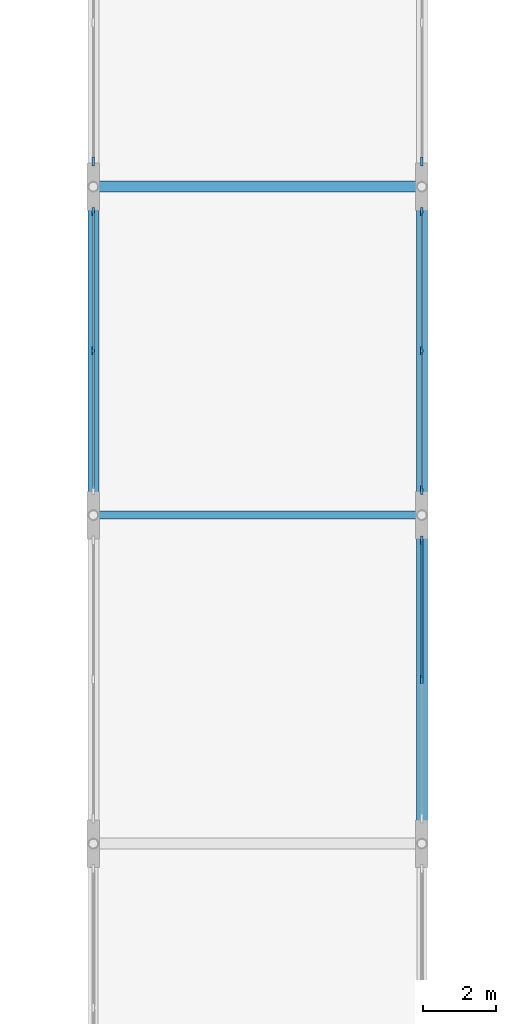
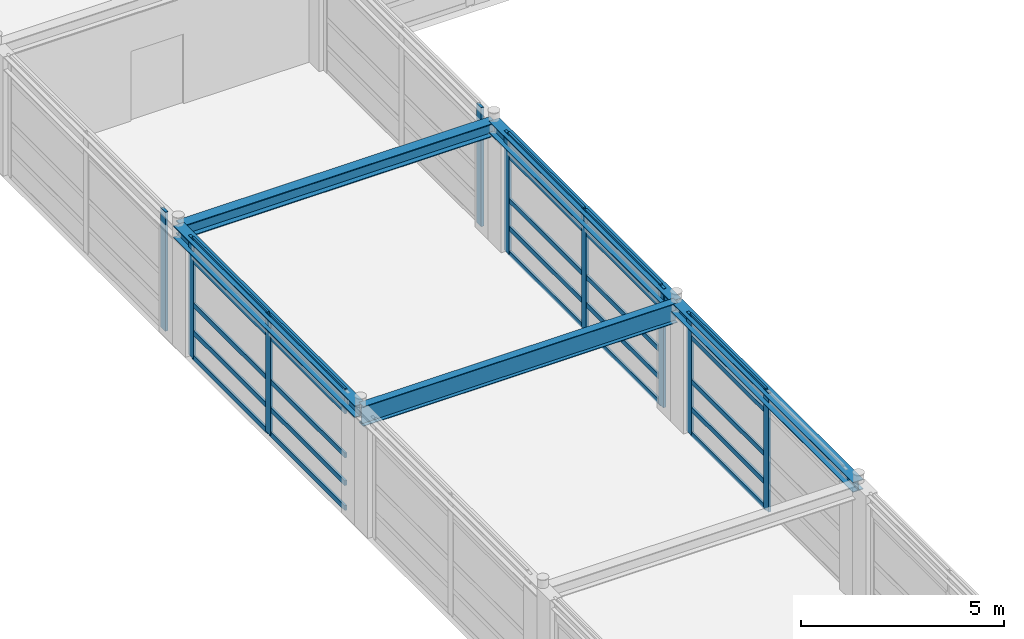
# One storey, part 28 of 79: 34 members, 5 beams, 5 elements without a shape of their own.
"""IFC4 building model written with IfcOpenShell, lengths in metres."""

from ifc_helpers import new_model, si_unit, direction, frame, origin, origin_2d, place, context, subcontext, project, spatial, rectangle, i_section, extrude, material, material_profile, profile_set, type_object, element, aggregate, save


model = new_model("IFC4")

# Units and contexts
model_context = context("Model", 3, precision=1e-05, world=origin(), true_north=direction((0.0, 1.0)))
body_context = subcontext(model_context, "Body", "Model", "MODEL_VIEW")
ifc_project = project(units=[si_unit("LENGTHUNIT", "METRE"), si_unit("AREAUNIT", "SQUARE_METRE"), si_unit("VOLUMEUNIT", "CUBIC_METRE"), si_unit("PLANEANGLEUNIT", "RADIAN"), si_unit("MASSUNIT", "GRAM", prefix="KILO")], contexts=[model_context])

# Site, building, storey
site_placement = place(None, origin())
site = spatial("IfcSite", under=ifc_project, at=site_placement, CompositionType="ELEMENT")
building_placement = place(site_placement, origin())
building = spatial("IfcBuilding", under=site, at=building_placement, Name="Palais des Congres Ocreval", CompositionType="ELEMENT")
storey_placement = place(building_placement, frame((0.0, 0.0, 4.320068359375)))
storey = spatial("IfcBuildingStorey", under=building, at=storey_placement, Name="L01", CompositionType="ELEMENT", Elevation=4.320068359375)

# Beam
ifc_material_1 = material(Name="Steel S355", Category="steel")
ifc_material_profile_1 = material_profile(ifc_material_1, i_section(OverallWidth=0.219970703125, OverallDepth=0.60009765625, WebThickness=0.011962890625, FlangeThickness=0.01904296875, at=origin_2d()), Name="IPE 600")
ifc_profile_set_1 = profile_set([ifc_material_profile_1], Name="Steel S355")
beam_type_1 = type_object("IfcBeamType", Name="Composite Beam IPE 600 Steel S355", PredefinedType="BEAM", material=ifc_profile_set_1)
beam_1_placement = place(storey_placement, frame((72.02001953125, 54.0, 3.280029296875), z_axis=(1.0, 0.0, 0.0), x_axis=(0.0, 1.0, 0.0)))
element("IfcBeam", 1, at=beam_1_placement, inside=storey, type_object=beam_type_1, Name="Beam B06 L01", PredefinedType="BEAM", context=body_context, shape_type="SweptSolid", body=[
    extrude(i_section(OverallWidth=0.219970703125, OverallDepth=0.60009765625, WebThickness=0.011962890625, FlangeThickness=0.01904296875, at=origin_2d()), origin(), (0.0, 0.0, 1.0), 8.9599609375),
])

# Curtain wall, member
ifc_material_2 = material(Name="Anodized bronze aluminium and low-E glass", Category="glass")
curtain_wall_type = type_object("IfcCurtainWallType", Name="Unitised Curtain Wall 7900x3660", PredefinedType="USERDEFINED", material=ifc_material_2)
curtain_wall_1_placement = place(storey_placement, origin())
curtain_wall_1 = element("IfcCurtainWall", 2, at=curtain_wall_1_placement, inside=storey, type_object=curtain_wall_type, Name="Unitised Curtain Wall CW02 L01", ObjectType="UNITISED CURTAIN WALL", PredefinedType="USERDEFINED")
ifc_material_3 = material(Name="Anodized bronze aluminium", Category="aluminium")
ifc_material_profile_2 = material_profile(ifc_material_3, rectangle(XDim=0.074951171875, YDim=0.239990234375, at=origin_2d()), Name="ALU 75x240")
ifc_profile_set_2 = profile_set([ifc_material_profile_2], Name="Anodized bronze aluminium")
member_type_1 = type_object("IfcMemberType", Name="Curtain Wall Mullion ALU 75x240", PredefinedType="MULLION", material=ifc_profile_set_2)
member_1_placement = place(storey_placement, frame((81.0, 63.6875, 0.0), z_axis=(0.0, 0.0, 1.0), x_axis=(1.0, 0.0, 0.0)))
member_1 = element("IfcMember", 3, at=member_1_placement, type_object=member_type_1, Name="Curtain Wall Mullion ML01", PredefinedType="MULLION", context=body_context, shape_type="SweptSolid", body=[
    extrude(rectangle(XDim=0.074951171875, YDim=0.239990234375, at=origin_2d()), origin(), (0.0, 0.0, 1.0), 3.58984375),
])
aggregate(curtain_wall_1, [member_1])

# Curtain wall, members
curtain_wall_2_placement = place(storey_placement, origin())
curtain_wall_2 = element("IfcCurtainWall", 4, at=curtain_wall_2_placement, inside=storey, type_object=curtain_wall_type, Name="Unitised Curtain Wall CW02 L01", ObjectType="UNITISED CURTAIN WALL", PredefinedType="USERDEFINED")
member_2_placement = place(storey_placement, frame((81.0, 62.3125, 0.0), z_axis=(0.0, 0.0, 1.0), x_axis=(1.0, 0.0, 0.0)))
member_2 = element("IfcMember", 5, at=member_2_placement, type_object=member_type_1, Name="Curtain Wall Mullion ML01", PredefinedType="MULLION", context=body_context, shape_type="SweptSolid", body=[
    extrude(rectangle(XDim=0.074951171875, YDim=0.239990234375, at=origin_2d()), origin(), (0.0, 0.0, 1.0), 3.58984375),
])
member_3_placement = place(storey_placement, frame((81.0, 58.5, 0.0), z_axis=(0.0, 0.0, 1.0), x_axis=(1.0, 0.0, 0.0)))
member_3 = element("IfcMember", 6, at=member_3_placement, type_object=member_type_1, Name="Curtain Wall Mullion ML01", PredefinedType="MULLION", context=body_context, shape_type="SweptSolid", body=[
    extrude(rectangle(XDim=0.074951171875, YDim=0.239990234375, at=origin_2d()), origin(), (0.0, 0.0, 1.0), 3.58984375),
])
member_4_placement = place(storey_placement, frame((81.0, 54.6875, 0.0), z_axis=(0.0, 0.0, 1.0), x_axis=(1.0, 0.0, 0.0)))
member_4 = element("IfcMember", 7, at=member_4_placement, type_object=member_type_1, Name="Curtain Wall Mullion ML01", PredefinedType="MULLION", context=body_context, shape_type="SweptSolid", body=[
    extrude(rectangle(XDim=0.074951171875, YDim=0.239990234375, at=origin_2d()), origin(), (0.0, 0.0, 1.0), 3.58984375),
])

curtain_wall_3_placement = place(storey_placement, origin())
curtain_wall_3 = element("IfcCurtainWall", 8, at=curtain_wall_3_placement, inside=storey, type_object=curtain_wall_type, Name="Unitised Curtain Wall CW02 L01", ObjectType="UNITISED CURTAIN WALL", PredefinedType="USERDEFINED")
member_5_placement = place(storey_placement, frame((81.0, 53.3125, 0.0), z_axis=(0.0, 0.0, 1.0), x_axis=(1.0, 0.0, 0.0)))
member_5 = element("IfcMember", 9, at=member_5_placement, type_object=member_type_1, Name="Curtain Wall Mullion ML01", PredefinedType="MULLION", context=body_context, shape_type="SweptSolid", body=[
    extrude(rectangle(XDim=0.074951171875, YDim=0.239990234375, at=origin_2d()), origin(), (0.0, 0.0, 1.0), 3.58984375),
])
member_6_placement = place(storey_placement, frame((81.0, 49.5, 0.0), z_axis=(0.0, 0.0, 1.0), x_axis=(1.0, 0.0, 0.0)))
member_6 = element("IfcMember", 10, at=member_6_placement, type_object=member_type_1, Name="Curtain Wall Mullion ML01", PredefinedType="MULLION", context=body_context, shape_type="SweptSolid", body=[
    extrude(rectangle(XDim=0.074951171875, YDim=0.239990234375, at=origin_2d()), origin(), (0.0, 0.0, 1.0), 3.58984375),
])

curtain_wall_4_placement = place(storey_placement, origin())
curtain_wall_4 = element("IfcCurtainWall", 11, at=curtain_wall_4_placement, inside=storey, type_object=curtain_wall_type, Name="Unitised Curtain Wall CW02 L01", ObjectType="UNITISED CURTAIN WALL", PredefinedType="USERDEFINED")
member_7_placement = place(storey_placement, frame((72.0, 58.5, 0.0), z_axis=(0.0, 0.0, 1.0), x_axis=(-1.0, 0.0, 0.0)))
member_7 = element("IfcMember", 12, at=member_7_placement, type_object=member_type_1, Name="Curtain Wall Mullion ML01", PredefinedType="MULLION", context=body_context, shape_type="SweptSolid", body=[
    extrude(rectangle(XDim=0.074951171875, YDim=0.239990234375, at=origin_2d()), origin(), (0.0, 0.0, 1.0), 3.58984375),
])
member_8_placement = place(storey_placement, frame((72.0, 62.3125, 0.0), z_axis=(0.0, 0.0, 1.0), x_axis=(-1.0, 0.0, 0.0)))
member_8 = element("IfcMember", 13, at=member_8_placement, type_object=member_type_1, Name="Curtain Wall Mullion ML01", PredefinedType="MULLION", context=body_context, shape_type="SweptSolid", body=[
    extrude(rectangle(XDim=0.074951171875, YDim=0.239990234375, at=origin_2d()), origin(), (0.0, 0.0, 1.0), 3.58984375),
])

# Curtain wall, member
curtain_wall_5_placement = place(storey_placement, origin())
curtain_wall_5 = element("IfcCurtainWall", 14, at=curtain_wall_5_placement, inside=storey, type_object=curtain_wall_type, Name="Unitised Curtain Wall CW02 L01", ObjectType="UNITISED CURTAIN WALL", PredefinedType="USERDEFINED")
member_9_placement = place(storey_placement, frame((72.0, 63.6875, 0.0), z_axis=(0.0, 0.0, 1.0), x_axis=(-1.0, 0.0, 0.0)))
member_9 = element("IfcMember", 15, at=member_9_placement, type_object=member_type_1, Name="Curtain Wall Mullion ML01", PredefinedType="MULLION", context=body_context, shape_type="SweptSolid", body=[
    extrude(rectangle(XDim=0.074951171875, YDim=0.239990234375, at=origin_2d()), origin(), (0.0, 0.0, 1.0), 3.58984375),
])
aggregate(curtain_wall_5, [member_9])

# Member
ifc_material_profile_3 = material_profile(ifc_material_3, rectangle(XDim=0.06005859375, YDim=0.14990234375, at=origin_2d()), Name="ALU 60x150")
ifc_profile_set_3 = profile_set([ifc_material_profile_3], Name="Anodized bronze aluminium")
member_type_2 = type_object("IfcMemberType", Name="Curtain Wall Transom ALU 60x150", PredefinedType="USERDEFINED", material=ifc_profile_set_3)
member_10_placement = place(storey_placement, frame((81.0, 62.27490234375, 0.030029296875), z_axis=(0.0, -1.0, 0.0), x_axis=(1.0, 0.0, 0.0)))
member_10 = element("IfcMember", 16, at=member_10_placement, type_object=member_type_2, Name="Curtain Wall Transom TR01", ObjectType="TRANSOM", PredefinedType="USERDEFINED", context=body_context, shape_type="SweptSolid", body=[
    extrude(rectangle(XDim=0.06005859375, YDim=0.14990234375, at=origin_2d()), origin(), (0.0, 0.0, 1.0), 3.7373046875),
])

member_11_placement = place(storey_placement, frame((81.0, 62.27490234375, 0.780029296875), z_axis=(0.0, -1.0, 0.0), x_axis=(1.0, 0.0, 0.0)))
member_11 = element("IfcMember", 17, at=member_11_placement, type_object=member_type_2, Name="Curtain Wall Transom TR01", ObjectType="TRANSOM", PredefinedType="USERDEFINED", context=body_context, shape_type="SweptSolid", body=[
    extrude(rectangle(XDim=0.06005859375, YDim=0.14990234375, at=origin_2d()), origin(), (0.0, 0.0, 1.0), 3.7373046875),
])

member_12_placement = place(storey_placement, frame((81.0, 62.27490234375, 1.616943359375), z_axis=(0.0, -1.0, 0.0), x_axis=(1.0, 0.0, 0.0)))
member_12 = element("IfcMember", 18, at=member_12_placement, type_object=member_type_2, Name="Curtain Wall Transom TR01", ObjectType="TRANSOM", PredefinedType="USERDEFINED", context=body_context, shape_type="SweptSolid", body=[
    extrude(rectangle(XDim=0.06005859375, YDim=0.14990234375, at=origin_2d()), origin(), (0.0, 0.0, 1.0), 3.7373046875),
])

member_13_placement = place(storey_placement, frame((81.0, 62.27490234375, 2.93994140625), z_axis=(0.0, -1.0, 0.0), x_axis=(1.0, 0.0, 0.0)))
member_13 = element("IfcMember", 19, at=member_13_placement, type_object=member_type_2, Name="Curtain Wall Transom TR01", ObjectType="TRANSOM", PredefinedType="USERDEFINED", context=body_context, shape_type="SweptSolid", body=[
    extrude(rectangle(XDim=0.06005859375, YDim=0.14990234375, at=origin_2d()), origin(), (0.0, 0.0, 1.0), 3.7373046875),
])

member_14_placement = place(storey_placement, frame((81.0, 62.27490234375, 3.559814453125), z_axis=(0.0, -1.0, 0.0), x_axis=(1.0, 0.0, 0.0)))
member_14 = element("IfcMember", 20, at=member_14_placement, type_object=member_type_2, Name="Curtain Wall Transom TR01", ObjectType="TRANSOM", PredefinedType="USERDEFINED", context=body_context, shape_type="SweptSolid", body=[
    extrude(rectangle(XDim=0.06005859375, YDim=0.14990234375, at=origin_2d()), origin(), (0.0, 0.0, 1.0), 3.7373046875),
])

member_15_placement = place(storey_placement, frame((81.0, 58.46240234375, 0.030029296875), z_axis=(0.0, -1.0, 0.0), x_axis=(1.0, 0.0, 0.0)))
member_15 = element("IfcMember", 21, at=member_15_placement, type_object=member_type_2, Name="Curtain Wall Transom TR01", ObjectType="TRANSOM", PredefinedType="USERDEFINED", context=body_context, shape_type="SweptSolid", body=[
    extrude(rectangle(XDim=0.06005859375, YDim=0.14990234375, at=origin_2d()), origin(), (0.0, 0.0, 1.0), 3.7373046875),
])

member_16_placement = place(storey_placement, frame((81.0, 58.46240234375, 0.780029296875), z_axis=(0.0, -1.0, 0.0), x_axis=(1.0, 0.0, 0.0)))
member_16 = element("IfcMember", 22, at=member_16_placement, type_object=member_type_2, Name="Curtain Wall Transom TR01", ObjectType="TRANSOM", PredefinedType="USERDEFINED", context=body_context, shape_type="SweptSolid", body=[
    extrude(rectangle(XDim=0.06005859375, YDim=0.14990234375, at=origin_2d()), origin(), (0.0, 0.0, 1.0), 3.7373046875),
])

member_17_placement = place(storey_placement, frame((81.0, 58.46240234375, 1.616943359375), z_axis=(0.0, -1.0, 0.0), x_axis=(1.0, 0.0, 0.0)))
member_17 = element("IfcMember", 23, at=member_17_placement, type_object=member_type_2, Name="Curtain Wall Transom TR01", ObjectType="TRANSOM", PredefinedType="USERDEFINED", context=body_context, shape_type="SweptSolid", body=[
    extrude(rectangle(XDim=0.06005859375, YDim=0.14990234375, at=origin_2d()), origin(), (0.0, 0.0, 1.0), 3.7373046875),
])

member_18_placement = place(storey_placement, frame((81.0, 58.46240234375, 2.93994140625), z_axis=(0.0, -1.0, 0.0), x_axis=(1.0, 0.0, 0.0)))
member_18 = element("IfcMember", 24, at=member_18_placement, type_object=member_type_2, Name="Curtain Wall Transom TR01", ObjectType="TRANSOM", PredefinedType="USERDEFINED", context=body_context, shape_type="SweptSolid", body=[
    extrude(rectangle(XDim=0.06005859375, YDim=0.14990234375, at=origin_2d()), origin(), (0.0, 0.0, 1.0), 3.7373046875),
])

member_19_placement = place(storey_placement, frame((81.0, 58.46240234375, 3.559814453125), z_axis=(0.0, -1.0, 0.0), x_axis=(1.0, 0.0, 0.0)))
member_19 = element("IfcMember", 25, at=member_19_placement, type_object=member_type_2, Name="Curtain Wall Transom TR01", ObjectType="TRANSOM", PredefinedType="USERDEFINED", context=body_context, shape_type="SweptSolid", body=[
    extrude(rectangle(XDim=0.06005859375, YDim=0.14990234375, at=origin_2d()), origin(), (0.0, 0.0, 1.0), 3.7373046875),
])

aggregate(curtain_wall_2, [member_2, member_3, member_4, member_10, member_11, member_12, member_13, member_14, member_15, member_16, member_17, member_18, member_19])

member_20_placement = place(storey_placement, frame((81.0, 53.27490234375, 0.030029296875), z_axis=(0.0, -1.0, 0.0), x_axis=(1.0, 0.0, 0.0)))
member_20 = element("IfcMember", 26, at=member_20_placement, type_object=member_type_2, Name="Curtain Wall Transom TR01", ObjectType="TRANSOM", PredefinedType="USERDEFINED", context=body_context, shape_type="SweptSolid", body=[
    extrude(rectangle(XDim=0.06005859375, YDim=0.14990234375, at=origin_2d()), origin(), (0.0, 0.0, 1.0), 3.7373046875),
])

member_21_placement = place(storey_placement, frame((81.0, 53.27490234375, 0.780029296875), z_axis=(0.0, -1.0, 0.0), x_axis=(1.0, 0.0, 0.0)))
member_21 = element("IfcMember", 27, at=member_21_placement, type_object=member_type_2, Name="Curtain Wall Transom TR01", ObjectType="TRANSOM", PredefinedType="USERDEFINED", context=body_context, shape_type="SweptSolid", body=[
    extrude(rectangle(XDim=0.06005859375, YDim=0.14990234375, at=origin_2d()), origin(), (0.0, 0.0, 1.0), 3.7373046875),
])

member_22_placement = place(storey_placement, frame((81.0, 53.27490234375, 1.616943359375), z_axis=(0.0, -1.0, 0.0), x_axis=(1.0, 0.0, 0.0)))
member_22 = element("IfcMember", 28, at=member_22_placement, type_object=member_type_2, Name="Curtain Wall Transom TR01", ObjectType="TRANSOM", PredefinedType="USERDEFINED", context=body_context, shape_type="SweptSolid", body=[
    extrude(rectangle(XDim=0.06005859375, YDim=0.14990234375, at=origin_2d()), origin(), (0.0, 0.0, 1.0), 3.7373046875),
])

member_23_placement = place(storey_placement, frame((81.0, 53.27490234375, 2.93994140625), z_axis=(0.0, -1.0, 0.0), x_axis=(1.0, 0.0, 0.0)))
member_23 = element("IfcMember", 29, at=member_23_placement, type_object=member_type_2, Name="Curtain Wall Transom TR01", ObjectType="TRANSOM", PredefinedType="USERDEFINED", context=body_context, shape_type="SweptSolid", body=[
    extrude(rectangle(XDim=0.06005859375, YDim=0.14990234375, at=origin_2d()), origin(), (0.0, 0.0, 1.0), 3.7373046875),
])

member_24_placement = place(storey_placement, frame((81.0, 53.27490234375, 3.559814453125), z_axis=(0.0, -1.0, 0.0), x_axis=(1.0, 0.0, 0.0)))
member_24 = element("IfcMember", 30, at=member_24_placement, type_object=member_type_2, Name="Curtain Wall Transom TR01", ObjectType="TRANSOM", PredefinedType="USERDEFINED", context=body_context, shape_type="SweptSolid", body=[
    extrude(rectangle(XDim=0.06005859375, YDim=0.14990234375, at=origin_2d()), origin(), (0.0, 0.0, 1.0), 3.7373046875),
])

aggregate(curtain_wall_3, [member_5, member_6, member_20, member_21, member_22, member_23, member_24])

member_25_placement = place(storey_placement, frame((72.0, 54.72509765625, 0.030029296875), z_axis=(0.0, 1.0, 0.0), x_axis=(-1.0, 0.0, 0.0)))
member_25 = element("IfcMember", 31, at=member_25_placement, type_object=member_type_2, Name="Curtain Wall Transom TR01", ObjectType="TRANSOM", PredefinedType="USERDEFINED", context=body_context, shape_type="SweptSolid", body=[
    extrude(rectangle(XDim=0.06005859375, YDim=0.14990234375, at=origin_2d()), origin(), (0.0, 0.0, 1.0), 3.7373046875),
])

member_26_placement = place(storey_placement, frame((72.0, 54.72509765625, 0.780029296875), z_axis=(0.0, 1.0, 0.0), x_axis=(-1.0, 0.0, 0.0)))
member_26 = element("IfcMember", 32, at=member_26_placement, type_object=member_type_2, Name="Curtain Wall Transom TR01", ObjectType="TRANSOM", PredefinedType="USERDEFINED", context=body_context, shape_type="SweptSolid", body=[
    extrude(rectangle(XDim=0.06005859375, YDim=0.14990234375, at=origin_2d()), origin(), (0.0, 0.0, 1.0), 3.7373046875),
])

member_27_placement = place(storey_placement, frame((72.0, 54.72509765625, 1.616943359375), z_axis=(0.0, 1.0, 0.0), x_axis=(-1.0, 0.0, 0.0)))
member_27 = element("IfcMember", 33, at=member_27_placement, type_object=member_type_2, Name="Curtain Wall Transom TR01", ObjectType="TRANSOM", PredefinedType="USERDEFINED", context=body_context, shape_type="SweptSolid", body=[
    extrude(rectangle(XDim=0.06005859375, YDim=0.14990234375, at=origin_2d()), origin(), (0.0, 0.0, 1.0), 3.7373046875),
])

member_28_placement = place(storey_placement, frame((72.0, 54.72509765625, 2.93994140625), z_axis=(0.0, 1.0, 0.0), x_axis=(-1.0, 0.0, 0.0)))
member_28 = element("IfcMember", 34, at=member_28_placement, type_object=member_type_2, Name="Curtain Wall Transom TR01", ObjectType="TRANSOM", PredefinedType="USERDEFINED", context=body_context, shape_type="SweptSolid", body=[
    extrude(rectangle(XDim=0.06005859375, YDim=0.14990234375, at=origin_2d()), origin(), (0.0, 0.0, 1.0), 3.7373046875),
])

member_29_placement = place(storey_placement, frame((72.0, 54.72509765625, 3.559814453125), z_axis=(0.0, 1.0, 0.0), x_axis=(-1.0, 0.0, 0.0)))
member_29 = element("IfcMember", 35, at=member_29_placement, type_object=member_type_2, Name="Curtain Wall Transom TR01", ObjectType="TRANSOM", PredefinedType="USERDEFINED", context=body_context, shape_type="SweptSolid", body=[
    extrude(rectangle(XDim=0.06005859375, YDim=0.14990234375, at=origin_2d()), origin(), (0.0, 0.0, 1.0), 3.7373046875),
])

member_30_placement = place(storey_placement, frame((72.0, 58.53759765625, 0.030029296875), z_axis=(0.0, 1.0, 0.0), x_axis=(-1.0, 0.0, 0.0)))
member_30 = element("IfcMember", 36, at=member_30_placement, type_object=member_type_2, Name="Curtain Wall Transom TR01", ObjectType="TRANSOM", PredefinedType="USERDEFINED", context=body_context, shape_type="SweptSolid", body=[
    extrude(rectangle(XDim=0.06005859375, YDim=0.14990234375, at=origin_2d()), origin(), (0.0, 0.0, 1.0), 3.7373046875),
])

member_31_placement = place(storey_placement, frame((72.0, 58.53759765625, 0.780029296875), z_axis=(0.0, 1.0, 0.0), x_axis=(-1.0, 0.0, 0.0)))
member_31 = element("IfcMember", 37, at=member_31_placement, type_object=member_type_2, Name="Curtain Wall Transom TR01", ObjectType="TRANSOM", PredefinedType="USERDEFINED", context=body_context, shape_type="SweptSolid", body=[
    extrude(rectangle(XDim=0.06005859375, YDim=0.14990234375, at=origin_2d()), origin(), (0.0, 0.0, 1.0), 3.7373046875),
])

member_32_placement = place(storey_placement, frame((72.0, 58.53759765625, 1.616943359375), z_axis=(0.0, 1.0, 0.0), x_axis=(-1.0, 0.0, 0.0)))
member_32 = element("IfcMember", 38, at=member_32_placement, type_object=member_type_2, Name="Curtain Wall Transom TR01", ObjectType="TRANSOM", PredefinedType="USERDEFINED", context=body_context, shape_type="SweptSolid", body=[
    extrude(rectangle(XDim=0.06005859375, YDim=0.14990234375, at=origin_2d()), origin(), (0.0, 0.0, 1.0), 3.7373046875),
])

member_33_placement = place(storey_placement, frame((72.0, 58.53759765625, 2.93994140625), z_axis=(0.0, 1.0, 0.0), x_axis=(-1.0, 0.0, 0.0)))
member_33 = element("IfcMember", 39, at=member_33_placement, type_object=member_type_2, Name="Curtain Wall Transom TR01", ObjectType="TRANSOM", PredefinedType="USERDEFINED", context=body_context, shape_type="SweptSolid", body=[
    extrude(rectangle(XDim=0.06005859375, YDim=0.14990234375, at=origin_2d()), origin(), (0.0, 0.0, 1.0), 3.7373046875),
])

member_34_placement = place(storey_placement, frame((72.0, 58.53759765625, 3.559814453125), z_axis=(0.0, 1.0, 0.0), x_axis=(-1.0, 0.0, 0.0)))
member_34 = element("IfcMember", 40, at=member_34_placement, type_object=member_type_2, Name="Curtain Wall Transom TR01", ObjectType="TRANSOM", PredefinedType="USERDEFINED", context=body_context, shape_type="SweptSolid", body=[
    extrude(rectangle(XDim=0.06005859375, YDim=0.14990234375, at=origin_2d()), origin(), (0.0, 0.0, 1.0), 3.7373046875),
])

aggregate(curtain_wall_4, [member_7, member_8, member_25, member_26, member_27, member_28, member_29, member_30, member_31, member_32, member_33, member_34])

# Beams
ifc_material_profile_4 = material_profile(ifc_material_1, i_section(OverallWidth=0.300048828125, OverallDepth=0.300048828125, WebThickness=0.010986328125, FlangeThickness=0.01904296875, at=origin_2d()), Name="HEB 300")
ifc_profile_set_4 = profile_set([ifc_material_profile_4], Name="Steel S355")
beam_type_2 = type_object("IfcBeamType", Name="Perimeter Spandrel HEB 300 Steel S355", PredefinedType="SPANDREL", material=ifc_profile_set_4)
beam_2_placement = place(storey_placement, frame((81.0, 45.02001953125, 3.429931640625), z_axis=(0.0, 1.0, 0.0), x_axis=(-1.0, 0.0, 0.0)))
element("IfcBeam", 41, at=beam_2_placement, inside=storey, type_object=beam_type_2, Name="Girder SP02 L01", PredefinedType="SPANDREL", context=body_context, shape_type="SweptSolid", body=[
    extrude(i_section(OverallWidth=0.300048828125, OverallDepth=0.300048828125, WebThickness=0.010986328125, FlangeThickness=0.01904296875, at=origin_2d()), origin(), (0.0, 0.0, 1.0), 8.9599609375),
])
ifc_material_profile_5 = material_profile(ifc_material_1, i_section(OverallWidth=0.300048828125, OverallDepth=0.360107421875, WebThickness=0.012451171875, FlangeThickness=0.0224609375, at=origin_2d()), Name="HEB 360")
ifc_profile_set_5 = profile_set([ifc_material_profile_5], Name="Steel S355")
beam_type_3 = type_object("IfcBeamType", Name="Perimeter Spandrel HEB 360 Steel S355", PredefinedType="SPANDREL", material=ifc_profile_set_5)
for number, where, z_axis, x_axis, name in (
    (42, (72.0, 54.02001953125, 3.39990234375), (0.0, 1.0, 0.0), (-1.0, 0.0, 0.0), "Girder SP03 L01"),
    (43, (81.0, 54.02001953125, 3.39990234375), (0.0, 1.0, 0.0), (-1.0, 0.0, 0.0), "Girder SP03 L01"),
):
    element("IfcBeam", number, at=place(storey_placement, frame(where, z_axis=z_axis, x_axis=x_axis)), inside=storey, type_object=beam_type_3, Name=name, PredefinedType="SPANDREL", context=body_context, shape_type="SweptSolid", body=[
        extrude(i_section(OverallWidth=0.300048828125, OverallDepth=0.360107421875, WebThickness=0.012451171875, FlangeThickness=0.0224609375, at=origin_2d()), origin(), (0.0, 0.0, 1.0), 8.9599609375),
    ])
ifc_material_profile_6 = material_profile(ifc_material_1, i_section(OverallWidth=0.300048828125, OverallDepth=0.39990234375, WebThickness=0.013427734375, FlangeThickness=0.02392578125, at=origin_2d()), Name="HEB 400")
ifc_profile_set_6 = profile_set([ifc_material_profile_6], Name="Steel S355")
beam_type_4 = type_object("IfcBeamType", Name="Perimeter Spandrel HEB 400 Steel S355", PredefinedType="SPANDREL", material=ifc_profile_set_6)
beam_3_placement = place(storey_placement, frame((72.02001953125, 63.0, 3.3798828125), z_axis=(1.0, 0.0, 0.0), x_axis=(0.0, 1.0, 0.0)))
element("IfcBeam", 44, at=beam_3_placement, inside=storey, type_object=beam_type_4, Name="Beam SP04 L01", PredefinedType="SPANDREL", context=body_context, shape_type="SweptSolid", body=[
    extrude(i_section(OverallWidth=0.300048828125, OverallDepth=0.39990234375, WebThickness=0.013427734375, FlangeThickness=0.02392578125, at=origin_2d()), origin(), (0.0, 0.0, 1.0), 8.9599609375),
])

save(model, "model.ifc")
